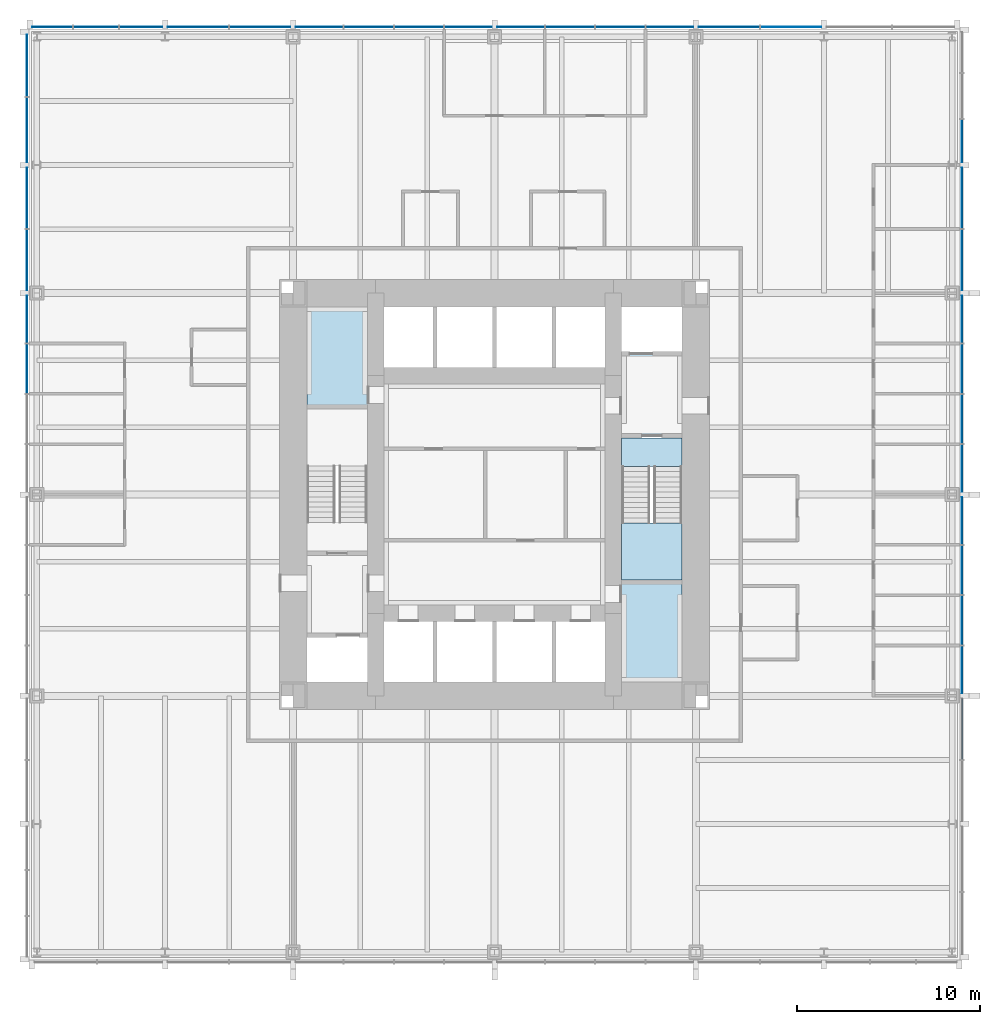
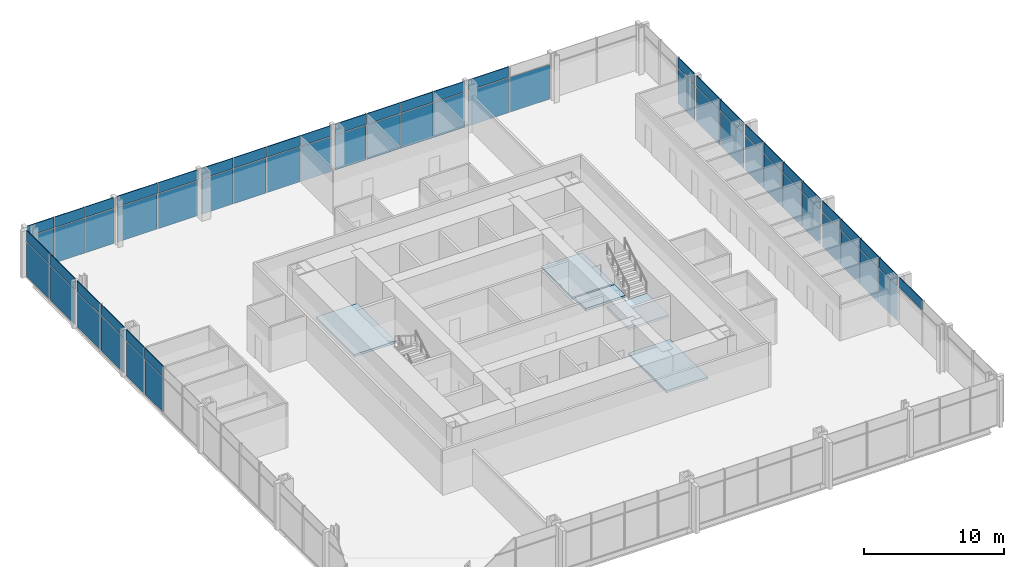
# One storey, part 8 of 12: 64 plates, 5 slabs, 4 elements without a shape of their own.
"""IFC4 building model written with IfcOpenShell, lengths in metres."""

from ifc_helpers import new_model, si_unit, direction, frame, origin, origin_2d, place, context, subcontext, project, spatial, polyline, rectangle, outline, extrude, material, layer, layer_set, type_object, element, aggregate, save


model = new_model("IFC4")

# Units and contexts
model_context = context("Model", 3, precision=1e-05, world=origin(), true_north=direction((0.0, 1.0)))
body_context = subcontext(model_context, "Body", "Model", "MODEL_VIEW")
ifc_project = project(units=[si_unit("LENGTHUNIT", "METRE"), si_unit("AREAUNIT", "SQUARE_METRE"), si_unit("VOLUMEUNIT", "CUBIC_METRE"), si_unit("PLANEANGLEUNIT", "RADIAN"), si_unit("MASSUNIT", "GRAM", prefix="KILO")], contexts=[model_context])

# Site, building, storey
site_placement = place(None, origin())
site = spatial("IfcSite", under=ifc_project, at=site_placement, CompositionType="ELEMENT")
building_placement = place(site_placement, origin())
building = spatial("IfcBuilding", under=site, at=building_placement, Name="Trevanion Tower", CompositionType="ELEMENT")
storey_placement = place(building_placement, frame((0.0, 0.0, 48.800048828125)))
storey = spatial("IfcBuildingStorey", under=building, at=storey_placement, Name="L11", CompositionType="ELEMENT", Elevation=48.800048828125)

# Curtain wall, plates
ifc_material_1 = material(Name="Aluminium and glass", Category="aluminium")
curtain_wall_type = type_object("IfcCurtainWallType", Name="CW1 curtain wall", PredefinedType="USERDEFINED", material=ifc_material_1)
curtain_wall_1_placement = place(storey_placement, origin())
curtain_wall_1 = element("IfcCurtainWall", 1, at=curtain_wall_1_placement, inside=storey, type_object=curtain_wall_type, Name="CW1 L11 0", ObjectType="UNITISED CURTAIN WALL", PredefinedType="USERDEFINED")
ifc_material_2 = material(Name="Aluminium spandrel panel", Category="aluminium")
ifc_layer_1 = layer(ifc_material_2, 0.06005859375)
ifc_layer_set_1 = layer_set([ifc_layer_1], Name="CW1 spandrel panel")
plate_type_1 = type_object("IfcPlateType", Name="CW1 spandrel panel", PredefinedType="CURTAIN_PANEL", material=ifc_layer_set_1)
plate_1_placement = place(storey_placement, frame((25.550048828125, -12.806396484375, 2.997314453125), z_axis=(0.0, 0.0, 1.0), x_axis=(0.0, 1.0, 0.0)))
plate_1 = element("IfcPlate", 2, at=plate_1_placement, type_object=plate_type_1, Name="CW1 panel 4.2", PredefinedType="CURTAIN_PANEL", context=body_context, shape_type="SweptSolid", body=[
    extrude(rectangle(XDim=3.3125, YDim=0.06005859375, at=origin_2d()), origin(), (0.0, 0.0, 1.0), 0.91259765625),
])
plate_2_placement = place(storey_placement, frame((25.550048828125, -9.56884765625, 2.997314453125), z_axis=(0.0, 0.0, 1.0), x_axis=(0.0, 1.0, 0.0)))
plate_2 = element("IfcPlate", 3, at=plate_2_placement, type_object=plate_type_1, Name="CW1 panel 5.2", PredefinedType="CURTAIN_PANEL", context=body_context, shape_type="SweptSolid", body=[
    extrude(rectangle(XDim=2.5625, YDim=0.06005859375, at=origin_2d()), origin(), (0.0, 0.0, 1.0), 0.91259765625),
])
plate_3_placement = place(storey_placement, frame((25.550048828125, -6.875, 2.997314453125), z_axis=(0.0, 0.0, 1.0), x_axis=(0.0, 1.0, 0.0)))
plate_3 = element("IfcPlate", 4, at=plate_3_placement, type_object=plate_type_1, Name="CW1 panel 6.2", PredefinedType="CURTAIN_PANEL", context=body_context, shape_type="SweptSolid", body=[
    extrude(rectangle(XDim=2.675048828125, YDim=0.06005859375, at=origin_2d()), origin(), (0.0, 0.0, 1.0), 0.91259765625),
])
plate_4_placement = place(storey_placement, frame((25.550048828125, -4.125, 2.997314453125), z_axis=(0.0, 0.0, 1.0), x_axis=(0.0, 1.0, 0.0)))
plate_4 = element("IfcPlate", 5, at=plate_4_placement, type_object=plate_type_1, Name="CW1 panel 7.2", PredefinedType="CURTAIN_PANEL", context=body_context, shape_type="SweptSolid", body=[
    extrude(rectangle(XDim=2.675048828125, YDim=0.06005859375, at=origin_2d()), origin(), (0.0, 0.0, 1.0), 0.91259765625),
])
plate_5_placement = place(storey_placement, frame((25.550048828125, -1.43115234375, 2.997314453125), z_axis=(0.0, 0.0, 1.0), x_axis=(0.0, 1.0, 0.0)))
plate_5 = element("IfcPlate", 6, at=plate_5_placement, type_object=plate_type_1, Name="CW1 panel 8.2", PredefinedType="CURTAIN_PANEL", context=body_context, shape_type="SweptSolid", body=[
    extrude(rectangle(XDim=2.5625, YDim=0.06005859375, at=origin_2d()), origin(), (0.0, 0.0, 1.0), 0.91259765625),
])
plate_6_placement = place(storey_placement, frame((25.550048828125, 1.43115234375, 2.997314453125), z_axis=(0.0, 0.0, 1.0), x_axis=(0.0, 1.0, 0.0)))
plate_6 = element("IfcPlate", 7, at=plate_6_placement, type_object=plate_type_1, Name="CW1 panel 9.2", PredefinedType="CURTAIN_PANEL", context=body_context, shape_type="SweptSolid", body=[
    extrude(rectangle(XDim=2.5625, YDim=0.06005859375, at=origin_2d()), origin(), (0.0, 0.0, 1.0), 0.91259765625),
])
plate_7_placement = place(storey_placement, frame((25.550048828125, 4.125, 2.997314453125), z_axis=(0.0, 0.0, 1.0), x_axis=(0.0, 1.0, 0.0)))
plate_7 = element("IfcPlate", 8, at=plate_7_placement, type_object=plate_type_1, Name="CW1 panel 10.2", PredefinedType="CURTAIN_PANEL", context=body_context, shape_type="SweptSolid", body=[
    extrude(rectangle(XDim=2.675048828125, YDim=0.06005859375, at=origin_2d()), origin(), (0.0, 0.0, 1.0), 0.91259765625),
])
plate_8_placement = place(storey_placement, frame((25.550048828125, 6.875, 2.997314453125), z_axis=(0.0, 0.0, 1.0), x_axis=(0.0, 1.0, 0.0)))
plate_8 = element("IfcPlate", 9, at=plate_8_placement, type_object=plate_type_1, Name="CW1 panel 11.2", PredefinedType="CURTAIN_PANEL", context=body_context, shape_type="SweptSolid", body=[
    extrude(rectangle(XDim=2.675048828125, YDim=0.06005859375, at=origin_2d()), origin(), (0.0, 0.0, 1.0), 0.91259765625),
])
plate_9_placement = place(storey_placement, frame((25.550048828125, 9.56884765625, 2.997314453125), z_axis=(0.0, 0.0, 1.0), x_axis=(0.0, 1.0, 0.0)))
plate_9 = element("IfcPlate", 10, at=plate_9_placement, type_object=plate_type_1, Name="CW1 panel 12.2", PredefinedType="CURTAIN_PANEL", context=body_context, shape_type="SweptSolid", body=[
    extrude(rectangle(XDim=2.5625, YDim=0.06005859375, at=origin_2d()), origin(), (0.0, 0.0, 1.0), 0.91259765625),
])
plate_10_placement = place(storey_placement, frame((25.550048828125, 12.80615234375, 2.997314453125), z_axis=(0.0, 0.0, 1.0), x_axis=(0.0, 1.0, 0.0)))
plate_10 = element("IfcPlate", 11, at=plate_10_placement, type_object=plate_type_1, Name="CW1 panel 13.2", PredefinedType="CURTAIN_PANEL", context=body_context, shape_type="SweptSolid", body=[
    extrude(rectangle(XDim=3.3125, YDim=0.06005859375, at=origin_2d()), origin(), (0.0, 0.0, 1.0), 0.91259765625),
])
plate_11_placement = place(storey_placement, frame((25.550048828125, 16.19384765625, 2.997314453125), z_axis=(0.0, 0.0, 1.0), x_axis=(0.0, 1.0, 0.0)))
plate_11 = element("IfcPlate", 12, at=plate_11_placement, type_object=plate_type_1, Name="CW1 panel 14.2", PredefinedType="CURTAIN_PANEL", context=body_context, shape_type="SweptSolid", body=[
    extrude(rectangle(XDim=3.3125, YDim=0.06005859375, at=origin_2d()), origin(), (0.0, 0.0, 1.0), 0.91259765625),
])
plate_12_placement = place(storey_placement, frame((25.550048828125, 19.314697265625, 2.997314453125), z_axis=(0.0, 0.0, 1.0), x_axis=(0.0, 1.0, 0.0)))
plate_12 = element("IfcPlate", 13, at=plate_12_placement, type_object=plate_type_1, Name="CW1 panel 15.2", PredefinedType="CURTAIN_PANEL", context=body_context, shape_type="SweptSolid", body=[
    extrude(rectangle(XDim=2.3291015625, YDim=0.06005859375, at=origin_2d()), origin(), (0.0, 0.0, 1.0), 0.91259765625),
])

curtain_wall_2_placement = place(storey_placement, origin())
curtain_wall_2 = element("IfcCurtainWall", 14, at=curtain_wall_2_placement, inside=storey, type_object=curtain_wall_type, Name="CW1 L11 1", ObjectType="UNITISED CURTAIN WALL", PredefinedType="USERDEFINED")
plate_13_placement = place(storey_placement, frame((12.806396484375, 25.550048828125, 2.997314453125), z_axis=(0.0, 0.0, 1.0), x_axis=(-1.0, 0.0, 0.0)))
plate_13 = element("IfcPlate", 15, at=plate_13_placement, type_object=plate_type_1, Name="CW1 panel 4.2", PredefinedType="CURTAIN_PANEL", context=body_context, shape_type="SweptSolid", body=[
    extrude(rectangle(XDim=3.3125, YDim=0.06005859375, at=origin_2d()), origin(), (0.0, 0.0, 1.0), 0.91259765625),
])
plate_14_placement = place(storey_placement, frame((9.56884765625, 25.550048828125, 2.997314453125), z_axis=(0.0, 0.0, 1.0), x_axis=(-1.0, 0.0, 0.0)))
plate_14 = element("IfcPlate", 16, at=plate_14_placement, type_object=plate_type_1, Name="CW1 panel 5.2", PredefinedType="CURTAIN_PANEL", context=body_context, shape_type="SweptSolid", body=[
    extrude(rectangle(XDim=2.5625, YDim=0.06005859375, at=origin_2d()), origin(), (0.0, 0.0, 1.0), 0.91259765625),
])
plate_15_placement = place(storey_placement, frame((6.875, 25.550048828125, 2.997314453125), z_axis=(0.0, 0.0, 1.0), x_axis=(-1.0, 0.0, 0.0)))
plate_15 = element("IfcPlate", 17, at=plate_15_placement, type_object=plate_type_1, Name="CW1 panel 6.2", PredefinedType="CURTAIN_PANEL", context=body_context, shape_type="SweptSolid", body=[
    extrude(rectangle(XDim=2.675048828125, YDim=0.06005859375, at=origin_2d()), origin(), (0.0, 0.0, 1.0), 0.91259765625),
])
plate_16_placement = place(storey_placement, frame((4.125, 25.550048828125, 2.997314453125), z_axis=(0.0, 0.0, 1.0), x_axis=(-1.0, 0.0, 0.0)))
plate_16 = element("IfcPlate", 18, at=plate_16_placement, type_object=plate_type_1, Name="CW1 panel 7.2", PredefinedType="CURTAIN_PANEL", context=body_context, shape_type="SweptSolid", body=[
    extrude(rectangle(XDim=2.675048828125, YDim=0.06005859375, at=origin_2d()), origin(), (0.0, 0.0, 1.0), 0.91259765625),
])
plate_17_placement = place(storey_placement, frame((1.43115234375, 25.550048828125, 2.997314453125), z_axis=(0.0, 0.0, 1.0), x_axis=(-1.0, 0.0, 0.0)))
plate_17 = element("IfcPlate", 19, at=plate_17_placement, type_object=plate_type_1, Name="CW1 panel 8.2", PredefinedType="CURTAIN_PANEL", context=body_context, shape_type="SweptSolid", body=[
    extrude(rectangle(XDim=2.5625, YDim=0.06005859375, at=origin_2d()), origin(), (0.0, 0.0, 1.0), 0.91259765625),
])
plate_18_placement = place(storey_placement, frame((-1.43115234375, 25.550048828125, 2.997314453125), z_axis=(0.0, 0.0, 1.0), x_axis=(-1.0, 0.0, 0.0)))
plate_18 = element("IfcPlate", 20, at=plate_18_placement, type_object=plate_type_1, Name="CW1 panel 9.2", PredefinedType="CURTAIN_PANEL", context=body_context, shape_type="SweptSolid", body=[
    extrude(rectangle(XDim=2.5625, YDim=0.06005859375, at=origin_2d()), origin(), (0.0, 0.0, 1.0), 0.91259765625),
])
plate_19_placement = place(storey_placement, frame((-4.125, 25.550048828125, 2.997314453125), z_axis=(0.0, 0.0, 1.0), x_axis=(-1.0, 0.0, 0.0)))
plate_19 = element("IfcPlate", 21, at=plate_19_placement, type_object=plate_type_1, Name="CW1 panel 10.2", PredefinedType="CURTAIN_PANEL", context=body_context, shape_type="SweptSolid", body=[
    extrude(rectangle(XDim=2.675048828125, YDim=0.06005859375, at=origin_2d()), origin(), (0.0, 0.0, 1.0), 0.91259765625),
])
plate_20_placement = place(storey_placement, frame((-6.875, 25.550048828125, 2.997314453125), z_axis=(0.0, 0.0, 1.0), x_axis=(-1.0, 0.0, 0.0)))
plate_20 = element("IfcPlate", 22, at=plate_20_placement, type_object=plate_type_1, Name="CW1 panel 11.2", PredefinedType="CURTAIN_PANEL", context=body_context, shape_type="SweptSolid", body=[
    extrude(rectangle(XDim=2.675048828125, YDim=0.06005859375, at=origin_2d()), origin(), (0.0, 0.0, 1.0), 0.91259765625),
])
plate_21_placement = place(storey_placement, frame((-9.56884765625, 25.550048828125, 2.997314453125), z_axis=(0.0, 0.0, 1.0), x_axis=(-1.0, 0.0, 0.0)))
plate_21 = element("IfcPlate", 23, at=plate_21_placement, type_object=plate_type_1, Name="CW1 panel 12.2", PredefinedType="CURTAIN_PANEL", context=body_context, shape_type="SweptSolid", body=[
    extrude(rectangle(XDim=2.5625, YDim=0.06005859375, at=origin_2d()), origin(), (0.0, 0.0, 1.0), 0.91259765625),
])
plate_22_placement = place(storey_placement, frame((-12.80615234375, 25.550048828125, 2.997314453125), z_axis=(0.0, 0.0, 1.0), x_axis=(-1.0, 0.0, 0.0)))
plate_22 = element("IfcPlate", 24, at=plate_22_placement, type_object=plate_type_1, Name="CW1 panel 13.2", PredefinedType="CURTAIN_PANEL", context=body_context, shape_type="SweptSolid", body=[
    extrude(rectangle(XDim=3.3125, YDim=0.06005859375, at=origin_2d()), origin(), (0.0, 0.0, 1.0), 0.91259765625),
])
plate_23_placement = place(storey_placement, frame((-16.19384765625, 25.550048828125, 2.997314453125), z_axis=(0.0, 0.0, 1.0), x_axis=(-1.0, 0.0, 0.0)))
plate_23 = element("IfcPlate", 25, at=plate_23_placement, type_object=plate_type_1, Name="CW1 panel 14.2", PredefinedType="CURTAIN_PANEL", context=body_context, shape_type="SweptSolid", body=[
    extrude(rectangle(XDim=3.3125, YDim=0.06005859375, at=origin_2d()), origin(), (0.0, 0.0, 1.0), 0.91259765625),
])
plate_24_placement = place(storey_placement, frame((-19.314697265625, 25.550048828125, 2.997314453125), z_axis=(0.0, 0.0, 1.0), x_axis=(-1.0, 0.0, 0.0)))
plate_24 = element("IfcPlate", 26, at=plate_24_placement, type_object=plate_type_1, Name="CW1 panel 15.2", PredefinedType="CURTAIN_PANEL", context=body_context, shape_type="SweptSolid", body=[
    extrude(rectangle(XDim=2.3291015625, YDim=0.06005859375, at=origin_2d()), origin(), (0.0, 0.0, 1.0), 0.91259765625),
])
plate_25_placement = place(storey_placement, frame((-21.77490234375, 25.550048828125, 2.997314453125), z_axis=(0.0, 0.0, 1.0), x_axis=(-1.0, 0.0, 0.0)))
plate_25 = element("IfcPlate", 27, at=plate_25_placement, type_object=plate_type_1, Name="CW1 panel 16.2", PredefinedType="CURTAIN_PANEL", context=body_context, shape_type="SweptSolid", body=[
    extrude(rectangle(XDim=2.441650390625, YDim=0.06005859375, at=origin_2d()), origin(), (0.0, 0.0, 1.0), 0.91259765625),
])
plate_26_placement = place(storey_placement, frame((-24.160400390625, 25.550048828125, 2.997314453125), z_axis=(0.0, 0.0, 1.0), x_axis=(-1.0, 0.0, 0.0)))
plate_26 = element("IfcPlate", 28, at=plate_26_placement, type_object=plate_type_1, Name="CW1 panel 17.2", PredefinedType="CURTAIN_PANEL", context=body_context, shape_type="SweptSolid", body=[
    extrude(rectangle(XDim=2.17919921875, YDim=0.06005859375, at=origin_2d()), origin(), (0.0, 0.0, 1.0), 0.91259765625),
])

curtain_wall_3_placement = place(storey_placement, origin())
curtain_wall_3 = element("IfcCurtainWall", 29, at=curtain_wall_3_placement, inside=storey, type_object=curtain_wall_type, Name="CW1 L11 2", ObjectType="UNITISED CURTAIN WALL", PredefinedType="USERDEFINED")
plate_27_placement = place(storey_placement, frame((-25.550048828125, 23.433837890625, 2.997314453125), z_axis=(0.0, 0.0, 1.0), x_axis=(0.0, -1.0, 0.0)))
plate_27 = element("IfcPlate", 30, at=plate_27_placement, type_object=plate_type_1, Name="CW1 panel 1.2", PredefinedType="CURTAIN_PANEL", context=body_context, shape_type="SweptSolid", body=[
    extrude(rectangle(XDim=3.37255859375, YDim=0.06005859375, at=origin_2d()), origin(), (0.0, 0.0, 1.0), 0.91259765625),
])
plate_28_placement = place(storey_placement, frame((-25.550048828125, 19.911376953125, 2.997314453125), z_axis=(0.0, 0.0, 1.0), x_axis=(0.0, -1.0, 0.0)))
plate_28 = element("IfcPlate", 31, at=plate_28_placement, type_object=plate_type_1, Name="CW1 panel 2.2", PredefinedType="CURTAIN_PANEL", context=body_context, shape_type="SweptSolid", body=[
    extrude(rectangle(XDim=3.5224609375, YDim=0.06005859375, at=origin_2d()), origin(), (0.0, 0.0, 1.0), 0.91259765625),
])
plate_29_placement = place(storey_placement, frame((-25.550048828125, 16.19384765625, 2.997314453125), z_axis=(0.0, 0.0, 1.0), x_axis=(0.0, -1.0, 0.0)))
plate_29 = element("IfcPlate", 32, at=plate_29_placement, type_object=plate_type_1, Name="CW1 panel 3.2", PredefinedType="CURTAIN_PANEL", context=body_context, shape_type="SweptSolid", body=[
    extrude(rectangle(XDim=3.3125, YDim=0.06005859375, at=origin_2d()), origin(), (0.0, 0.0, 1.0), 0.91259765625),
])
plate_30_placement = place(storey_placement, frame((-25.550048828125, 12.806396484375, 2.997314453125), z_axis=(0.0, 0.0, 1.0), x_axis=(0.0, -1.0, 0.0)))
plate_30 = element("IfcPlate", 33, at=plate_30_placement, type_object=plate_type_1, Name="CW1 panel 4.2", PredefinedType="CURTAIN_PANEL", context=body_context, shape_type="SweptSolid", body=[
    extrude(rectangle(XDim=3.3125, YDim=0.06005859375, at=origin_2d()), origin(), (0.0, 0.0, 1.0), 0.91259765625),
])
plate_31_placement = place(storey_placement, frame((-25.550048828125, 9.56884765625, 2.997314453125), z_axis=(0.0, 0.0, 1.0), x_axis=(0.0, -1.0, 0.0)))
plate_31 = element("IfcPlate", 34, at=plate_31_placement, type_object=plate_type_1, Name="CW1 panel 5.2", PredefinedType="CURTAIN_PANEL", context=body_context, shape_type="SweptSolid", body=[
    extrude(rectangle(XDim=2.5625, YDim=0.06005859375, at=origin_2d()), origin(), (0.0, 0.0, 1.0), 0.91259765625),
])
plate_32_placement = place(storey_placement, frame((-25.550048828125, 6.875, 2.997314453125), z_axis=(0.0, 0.0, 1.0), x_axis=(0.0, -1.0, 0.0)))
plate_32 = element("IfcPlate", 35, at=plate_32_placement, type_object=plate_type_1, Name="CW1 panel 6.2", PredefinedType="CURTAIN_PANEL", context=body_context, shape_type="SweptSolid", body=[
    extrude(rectangle(XDim=2.675048828125, YDim=0.06005859375, at=origin_2d()), origin(), (0.0, 0.0, 1.0), 0.91259765625),
])

# Plate
ifc_material_3 = material(Name="Insulating glass unit", Category="glass")
ifc_layer_2 = layer(ifc_material_3, 0.028076171875)
ifc_layer_set_2 = layer_set([ifc_layer_2], Name="CW1 vision panel")
plate_type_2 = type_object("IfcPlateType", Name="CW1 vision panel", PredefinedType="CURTAIN_PANEL", material=ifc_layer_set_2)
plate_33_placement = place(storey_placement, frame((25.550048828125, -9.56884765625, -0.115234375), z_axis=(0.0, 0.0, 1.0), x_axis=(0.0, 1.0, 0.0)))
plate_33 = element("IfcPlate", 36, at=plate_33_placement, type_object=plate_type_2, Name="CW1 panel 5.1", PredefinedType="CURTAIN_PANEL", context=body_context, shape_type="SweptSolid", body=[
    extrude(rectangle(XDim=2.5625, YDim=0.028076171875, at=origin_2d()), origin(), (0.0, 0.0, 1.0), 3.03759765625),
])

plate_34_placement = place(storey_placement, frame((25.550048828125, -6.875, -0.115234375), z_axis=(0.0, 0.0, 1.0), x_axis=(0.0, 1.0, 0.0)))
plate_34 = element("IfcPlate", 37, at=plate_34_placement, type_object=plate_type_2, Name="CW1 panel 6.1", PredefinedType="CURTAIN_PANEL", context=body_context, shape_type="SweptSolid", body=[
    extrude(rectangle(XDim=2.675048828125, YDim=0.028076171875, at=origin_2d()), origin(), (0.0, 0.0, 1.0), 3.03759765625),
])

plate_35_placement = place(storey_placement, frame((25.550048828125, -4.125, -0.115234375), z_axis=(0.0, 0.0, 1.0), x_axis=(0.0, 1.0, 0.0)))
plate_35 = element("IfcPlate", 38, at=plate_35_placement, type_object=plate_type_2, Name="CW1 panel 7.1", PredefinedType="CURTAIN_PANEL", context=body_context, shape_type="SweptSolid", body=[
    extrude(rectangle(XDim=2.675048828125, YDim=0.028076171875, at=origin_2d()), origin(), (0.0, 0.0, 1.0), 3.03759765625),
])

plate_36_placement = place(storey_placement, frame((25.550048828125, -1.43115234375, -0.115234375), z_axis=(0.0, 0.0, 1.0), x_axis=(0.0, 1.0, 0.0)))
plate_36 = element("IfcPlate", 39, at=plate_36_placement, type_object=plate_type_2, Name="CW1 panel 8.1", PredefinedType="CURTAIN_PANEL", context=body_context, shape_type="SweptSolid", body=[
    extrude(rectangle(XDim=2.5625, YDim=0.028076171875, at=origin_2d()), origin(), (0.0, 0.0, 1.0), 3.03759765625),
])

plate_37_placement = place(storey_placement, frame((25.550048828125, 1.43115234375, -0.115234375), z_axis=(0.0, 0.0, 1.0), x_axis=(0.0, 1.0, 0.0)))
plate_37 = element("IfcPlate", 40, at=plate_37_placement, type_object=plate_type_2, Name="CW1 panel 9.1", PredefinedType="CURTAIN_PANEL", context=body_context, shape_type="SweptSolid", body=[
    extrude(rectangle(XDim=2.5625, YDim=0.028076171875, at=origin_2d()), origin(), (0.0, 0.0, 1.0), 3.03759765625),
])

plate_38_placement = place(storey_placement, frame((25.550048828125, 4.125, -0.115234375), z_axis=(0.0, 0.0, 1.0), x_axis=(0.0, 1.0, 0.0)))
plate_38 = element("IfcPlate", 41, at=plate_38_placement, type_object=plate_type_2, Name="CW1 panel 10.1", PredefinedType="CURTAIN_PANEL", context=body_context, shape_type="SweptSolid", body=[
    extrude(rectangle(XDim=2.675048828125, YDim=0.028076171875, at=origin_2d()), origin(), (0.0, 0.0, 1.0), 3.03759765625),
])

plate_39_placement = place(storey_placement, frame((25.550048828125, 6.875, -0.115234375), z_axis=(0.0, 0.0, 1.0), x_axis=(0.0, 1.0, 0.0)))
plate_39 = element("IfcPlate", 42, at=plate_39_placement, type_object=plate_type_2, Name="CW1 panel 11.1", PredefinedType="CURTAIN_PANEL", context=body_context, shape_type="SweptSolid", body=[
    extrude(rectangle(XDim=2.675048828125, YDim=0.028076171875, at=origin_2d()), origin(), (0.0, 0.0, 1.0), 3.03759765625),
])

plate_40_placement = place(storey_placement, frame((25.550048828125, 9.56884765625, -0.115234375), z_axis=(0.0, 0.0, 1.0), x_axis=(0.0, 1.0, 0.0)))
plate_40 = element("IfcPlate", 43, at=plate_40_placement, type_object=plate_type_2, Name="CW1 panel 12.1", PredefinedType="CURTAIN_PANEL", context=body_context, shape_type="SweptSolid", body=[
    extrude(rectangle(XDim=2.5625, YDim=0.028076171875, at=origin_2d()), origin(), (0.0, 0.0, 1.0), 3.03759765625),
])

plate_41_placement = place(storey_placement, frame((25.550048828125, 12.80615234375, -0.115234375), z_axis=(0.0, 0.0, 1.0), x_axis=(0.0, 1.0, 0.0)))
plate_41 = element("IfcPlate", 44, at=plate_41_placement, type_object=plate_type_2, Name="CW1 panel 13.1", PredefinedType="CURTAIN_PANEL", context=body_context, shape_type="SweptSolid", body=[
    extrude(rectangle(XDim=3.3125, YDim=0.028076171875, at=origin_2d()), origin(), (0.0, 0.0, 1.0), 3.03759765625),
])

plate_42_placement = place(storey_placement, frame((25.550048828125, 16.19384765625, -0.115234375), z_axis=(0.0, 0.0, 1.0), x_axis=(0.0, 1.0, 0.0)))
plate_42 = element("IfcPlate", 45, at=plate_42_placement, type_object=plate_type_2, Name="CW1 panel 14.1", PredefinedType="CURTAIN_PANEL", context=body_context, shape_type="SweptSolid", body=[
    extrude(rectangle(XDim=3.3125, YDim=0.028076171875, at=origin_2d()), origin(), (0.0, 0.0, 1.0), 3.03759765625),
])

plate_43_placement = place(storey_placement, frame((25.550048828125, 19.314697265625, -0.115234375), z_axis=(0.0, 0.0, 1.0), x_axis=(0.0, 1.0, 0.0)))
plate_43 = element("IfcPlate", 46, at=plate_43_placement, type_object=plate_type_2, Name="CW1 panel 15.1", PredefinedType="CURTAIN_PANEL", context=body_context, shape_type="SweptSolid", body=[
    extrude(rectangle(XDim=2.3291015625, YDim=0.028076171875, at=origin_2d()), origin(), (0.0, 0.0, 1.0), 3.03759765625),
])

aggregate(curtain_wall_1, [plate_1, plate_33, plate_2, plate_34, plate_3, plate_35, plate_4, plate_36, plate_5, plate_37, plate_6, plate_38, plate_7, plate_39, plate_8, plate_40, plate_9, plate_41, plate_10, plate_42, plate_11, plate_43, plate_12])

plate_44_placement = place(storey_placement, frame((16.19384765625, 25.550048828125, -0.115234375), z_axis=(0.0, 0.0, 1.0), x_axis=(-1.0, 0.0, 0.0)))
plate_44 = element("IfcPlate", 47, at=plate_44_placement, type_object=plate_type_2, Name="CW1 panel 3.1", PredefinedType="CURTAIN_PANEL", context=body_context, shape_type="SweptSolid", body=[
    extrude(rectangle(XDim=3.3125, YDim=0.028076171875, at=origin_2d()), origin(), (0.0, 0.0, 1.0), 3.03759765625),
])

plate_45_placement = place(storey_placement, frame((12.806396484375, 25.550048828125, -0.115234375), z_axis=(0.0, 0.0, 1.0), x_axis=(-1.0, 0.0, 0.0)))
plate_45 = element("IfcPlate", 48, at=plate_45_placement, type_object=plate_type_2, Name="CW1 panel 4.1", PredefinedType="CURTAIN_PANEL", context=body_context, shape_type="SweptSolid", body=[
    extrude(rectangle(XDim=3.3125, YDim=0.028076171875, at=origin_2d()), origin(), (0.0, 0.0, 1.0), 3.03759765625),
])

plate_46_placement = place(storey_placement, frame((9.56884765625, 25.550048828125, -0.115234375), z_axis=(0.0, 0.0, 1.0), x_axis=(-1.0, 0.0, 0.0)))
plate_46 = element("IfcPlate", 49, at=plate_46_placement, type_object=plate_type_2, Name="CW1 panel 5.1", PredefinedType="CURTAIN_PANEL", context=body_context, shape_type="SweptSolid", body=[
    extrude(rectangle(XDim=2.5625, YDim=0.028076171875, at=origin_2d()), origin(), (0.0, 0.0, 1.0), 3.03759765625),
])

plate_47_placement = place(storey_placement, frame((6.875, 25.550048828125, -0.115234375), z_axis=(0.0, 0.0, 1.0), x_axis=(-1.0, 0.0, 0.0)))
plate_47 = element("IfcPlate", 50, at=plate_47_placement, type_object=plate_type_2, Name="CW1 panel 6.1", PredefinedType="CURTAIN_PANEL", context=body_context, shape_type="SweptSolid", body=[
    extrude(rectangle(XDim=2.675048828125, YDim=0.028076171875, at=origin_2d()), origin(), (0.0, 0.0, 1.0), 3.03759765625),
])

plate_48_placement = place(storey_placement, frame((4.125, 25.550048828125, -0.115234375), z_axis=(0.0, 0.0, 1.0), x_axis=(-1.0, 0.0, 0.0)))
plate_48 = element("IfcPlate", 51, at=plate_48_placement, type_object=plate_type_2, Name="CW1 panel 7.1", PredefinedType="CURTAIN_PANEL", context=body_context, shape_type="SweptSolid", body=[
    extrude(rectangle(XDim=2.675048828125, YDim=0.028076171875, at=origin_2d()), origin(), (0.0, 0.0, 1.0), 3.03759765625),
])

plate_49_placement = place(storey_placement, frame((1.43115234375, 25.550048828125, -0.115234375), z_axis=(0.0, 0.0, 1.0), x_axis=(-1.0, 0.0, 0.0)))
plate_49 = element("IfcPlate", 52, at=plate_49_placement, type_object=plate_type_2, Name="CW1 panel 8.1", PredefinedType="CURTAIN_PANEL", context=body_context, shape_type="SweptSolid", body=[
    extrude(rectangle(XDim=2.5625, YDim=0.028076171875, at=origin_2d()), origin(), (0.0, 0.0, 1.0), 3.03759765625),
])

plate_50_placement = place(storey_placement, frame((-1.43115234375, 25.550048828125, -0.115234375), z_axis=(0.0, 0.0, 1.0), x_axis=(-1.0, 0.0, 0.0)))
plate_50 = element("IfcPlate", 53, at=plate_50_placement, type_object=plate_type_2, Name="CW1 panel 9.1", PredefinedType="CURTAIN_PANEL", context=body_context, shape_type="SweptSolid", body=[
    extrude(rectangle(XDim=2.5625, YDim=0.028076171875, at=origin_2d()), origin(), (0.0, 0.0, 1.0), 3.03759765625),
])

plate_51_placement = place(storey_placement, frame((-4.125, 25.550048828125, -0.115234375), z_axis=(0.0, 0.0, 1.0), x_axis=(-1.0, 0.0, 0.0)))
plate_51 = element("IfcPlate", 54, at=plate_51_placement, type_object=plate_type_2, Name="CW1 panel 10.1", PredefinedType="CURTAIN_PANEL", context=body_context, shape_type="SweptSolid", body=[
    extrude(rectangle(XDim=2.675048828125, YDim=0.028076171875, at=origin_2d()), origin(), (0.0, 0.0, 1.0), 3.03759765625),
])

plate_52_placement = place(storey_placement, frame((-6.875, 25.550048828125, -0.115234375), z_axis=(0.0, 0.0, 1.0), x_axis=(-1.0, 0.0, 0.0)))
plate_52 = element("IfcPlate", 55, at=plate_52_placement, type_object=plate_type_2, Name="CW1 panel 11.1", PredefinedType="CURTAIN_PANEL", context=body_context, shape_type="SweptSolid", body=[
    extrude(rectangle(XDim=2.675048828125, YDim=0.028076171875, at=origin_2d()), origin(), (0.0, 0.0, 1.0), 3.03759765625),
])

plate_53_placement = place(storey_placement, frame((-9.56884765625, 25.550048828125, -0.115234375), z_axis=(0.0, 0.0, 1.0), x_axis=(-1.0, 0.0, 0.0)))
plate_53 = element("IfcPlate", 56, at=plate_53_placement, type_object=plate_type_2, Name="CW1 panel 12.1", PredefinedType="CURTAIN_PANEL", context=body_context, shape_type="SweptSolid", body=[
    extrude(rectangle(XDim=2.5625, YDim=0.028076171875, at=origin_2d()), origin(), (0.0, 0.0, 1.0), 3.03759765625),
])

plate_54_placement = place(storey_placement, frame((-12.80615234375, 25.550048828125, -0.115234375), z_axis=(0.0, 0.0, 1.0), x_axis=(-1.0, 0.0, 0.0)))
plate_54 = element("IfcPlate", 57, at=plate_54_placement, type_object=plate_type_2, Name="CW1 panel 13.1", PredefinedType="CURTAIN_PANEL", context=body_context, shape_type="SweptSolid", body=[
    extrude(rectangle(XDim=3.3125, YDim=0.028076171875, at=origin_2d()), origin(), (0.0, 0.0, 1.0), 3.03759765625),
])

plate_55_placement = place(storey_placement, frame((-16.19384765625, 25.550048828125, -0.115234375), z_axis=(0.0, 0.0, 1.0), x_axis=(-1.0, 0.0, 0.0)))
plate_55 = element("IfcPlate", 58, at=plate_55_placement, type_object=plate_type_2, Name="CW1 panel 14.1", PredefinedType="CURTAIN_PANEL", context=body_context, shape_type="SweptSolid", body=[
    extrude(rectangle(XDim=3.3125, YDim=0.028076171875, at=origin_2d()), origin(), (0.0, 0.0, 1.0), 3.03759765625),
])

plate_56_placement = place(storey_placement, frame((-19.314697265625, 25.550048828125, -0.115234375), z_axis=(0.0, 0.0, 1.0), x_axis=(-1.0, 0.0, 0.0)))
plate_56 = element("IfcPlate", 59, at=plate_56_placement, type_object=plate_type_2, Name="CW1 panel 15.1", PredefinedType="CURTAIN_PANEL", context=body_context, shape_type="SweptSolid", body=[
    extrude(rectangle(XDim=2.3291015625, YDim=0.028076171875, at=origin_2d()), origin(), (0.0, 0.0, 1.0), 3.03759765625),
])

plate_57_placement = place(storey_placement, frame((-21.77490234375, 25.550048828125, -0.115234375), z_axis=(0.0, 0.0, 1.0), x_axis=(-1.0, 0.0, 0.0)))
plate_57 = element("IfcPlate", 60, at=plate_57_placement, type_object=plate_type_2, Name="CW1 panel 16.1", PredefinedType="CURTAIN_PANEL", context=body_context, shape_type="SweptSolid", body=[
    extrude(rectangle(XDim=2.441650390625, YDim=0.028076171875, at=origin_2d()), origin(), (0.0, 0.0, 1.0), 3.03759765625),
])

plate_58_placement = place(storey_placement, frame((-24.160400390625, 25.550048828125, -0.115234375), z_axis=(0.0, 0.0, 1.0), x_axis=(-1.0, 0.0, 0.0)))
plate_58 = element("IfcPlate", 61, at=plate_58_placement, type_object=plate_type_2, Name="CW1 panel 17.1", PredefinedType="CURTAIN_PANEL", context=body_context, shape_type="SweptSolid", body=[
    extrude(rectangle(XDim=2.17919921875, YDim=0.028076171875, at=origin_2d()), origin(), (0.0, 0.0, 1.0), 3.03759765625),
])

aggregate(curtain_wall_2, [plate_44, plate_45, plate_13, plate_46, plate_14, plate_47, plate_15, plate_48, plate_16, plate_49, plate_17, plate_50, plate_18, plate_51, plate_19, plate_52, plate_20, plate_53, plate_21, plate_54, plate_22, plate_55, plate_23, plate_56, plate_24, plate_57, plate_25, plate_58, plate_26])

plate_59_placement = place(storey_placement, frame((-25.550048828125, 23.433837890625, -0.115234375), z_axis=(0.0, 0.0, 1.0), x_axis=(0.0, -1.0, 0.0)))
plate_59 = element("IfcPlate", 62, at=plate_59_placement, type_object=plate_type_2, Name="CW1 panel 1.1", PredefinedType="CURTAIN_PANEL", context=body_context, shape_type="SweptSolid", body=[
    extrude(rectangle(XDim=3.37255859375, YDim=0.028076171875, at=origin_2d()), origin(), (0.0, 0.0, 1.0), 3.03759765625),
])

plate_60_placement = place(storey_placement, frame((-25.550048828125, 19.911376953125, -0.115234375), z_axis=(0.0, 0.0, 1.0), x_axis=(0.0, -1.0, 0.0)))
plate_60 = element("IfcPlate", 63, at=plate_60_placement, type_object=plate_type_2, Name="CW1 panel 2.1", PredefinedType="CURTAIN_PANEL", context=body_context, shape_type="SweptSolid", body=[
    extrude(rectangle(XDim=3.5224609375, YDim=0.028076171875, at=origin_2d()), origin(), (0.0, 0.0, 1.0), 3.03759765625),
])

plate_61_placement = place(storey_placement, frame((-25.550048828125, 16.19384765625, -0.115234375), z_axis=(0.0, 0.0, 1.0), x_axis=(0.0, -1.0, 0.0)))
plate_61 = element("IfcPlate", 64, at=plate_61_placement, type_object=plate_type_2, Name="CW1 panel 3.1", PredefinedType="CURTAIN_PANEL", context=body_context, shape_type="SweptSolid", body=[
    extrude(rectangle(XDim=3.3125, YDim=0.028076171875, at=origin_2d()), origin(), (0.0, 0.0, 1.0), 3.03759765625),
])

plate_62_placement = place(storey_placement, frame((-25.550048828125, 12.806396484375, -0.115234375), z_axis=(0.0, 0.0, 1.0), x_axis=(0.0, -1.0, 0.0)))
plate_62 = element("IfcPlate", 65, at=plate_62_placement, type_object=plate_type_2, Name="CW1 panel 4.1", PredefinedType="CURTAIN_PANEL", context=body_context, shape_type="SweptSolid", body=[
    extrude(rectangle(XDim=3.3125, YDim=0.028076171875, at=origin_2d()), origin(), (0.0, 0.0, 1.0), 3.03759765625),
])

plate_63_placement = place(storey_placement, frame((-25.550048828125, 9.56884765625, -0.115234375), z_axis=(0.0, 0.0, 1.0), x_axis=(0.0, -1.0, 0.0)))
plate_63 = element("IfcPlate", 66, at=plate_63_placement, type_object=plate_type_2, Name="CW1 panel 5.1", PredefinedType="CURTAIN_PANEL", context=body_context, shape_type="SweptSolid", body=[
    extrude(rectangle(XDim=2.5625, YDim=0.028076171875, at=origin_2d()), origin(), (0.0, 0.0, 1.0), 3.03759765625),
])

plate_64_placement = place(storey_placement, frame((-25.550048828125, 6.875, -0.115234375), z_axis=(0.0, 0.0, 1.0), x_axis=(0.0, -1.0, 0.0)))
plate_64 = element("IfcPlate", 67, at=plate_64_placement, type_object=plate_type_2, Name="CW1 panel 6.1", PredefinedType="CURTAIN_PANEL", context=body_context, shape_type="SweptSolid", body=[
    extrude(rectangle(XDim=2.675048828125, YDim=0.028076171875, at=origin_2d()), origin(), (0.0, 0.0, 1.0), 3.03759765625),
])

aggregate(curtain_wall_3, [plate_59, plate_27, plate_60, plate_28, plate_61, plate_29, plate_62, plate_30, plate_63, plate_31, plate_64, plate_32])

# Slabs
ifc_material_4 = material(Name="Concrete 5,000 psi", Category="concrete")
ifc_layer_3 = layer(ifc_material_4, 0.199951171875)
ifc_layer_set_3 = layer_set([ifc_layer_3], Name="SL2 core floor 200")
slab_type_1 = type_object("IfcSlabType", Name="SL2 core floor 200", PredefinedType="FLOOR", material=ifc_layer_set_3)
slab_1_placement = place(storey_placement, frame((0.0, 0.0, -0.199951171875)))
element("IfcSlab", 68, at=slab_1_placement, inside=storey, type_object=slab_type_1, Name="SL2 L11 core floor 1", PredefinedType="FLOOR", context=body_context, shape_type="SweptSolid", body=[
    extrude(outline(polyline([(10.25, -4.804931640625), (10.25, -10.25), (6.830078125, -10.25), (6.830078125, -4.804931640625), (10.25, -4.804931640625)])), origin(), (0.0, 0.0, 1.0), 0.199951171875),
])
slab_2_placement = place(storey_placement, frame((0.0, 0.0, -0.199951171875)))
element("IfcSlab", 69, at=slab_2_placement, inside=storey, type_object=slab_type_1, Name="SL2 L11 core floor 4", PredefinedType="FLOOR", context=body_context, shape_type="SweptSolid", body=[
    extrude(outline(polyline([(6.830078125, 3.205078125), (6.830078125, 7.695068359375), (10.25, 7.695068359375), (10.25, 3.205078125), (6.830078125, 3.205078125)])), origin(), (0.0, 0.0, 1.0), 0.199951171875),
])
slab_3_placement = place(storey_placement, frame((0.0, 0.0, -0.199951171875)))
element("IfcSlab", 70, at=slab_3_placement, inside=storey, type_object=slab_type_1, Name="SL2 L11 core floor 5", PredefinedType="FLOOR", context=body_context, shape_type="SweptSolid", body=[
    extrude(outline(polyline([(-6.830078125, 4.804931640625), (-10.25, 4.804931640625), (-10.25, 10.25), (-6.830078125, 10.25), (-6.830078125, 4.804931640625)])), origin(), (0.0, 0.0, 1.0), 0.199951171875),
])

# Stair, slabs
ifc_material_5 = material(Name="Concrete 5,000 psi on steel stringers", Category="concrete")
stair_type = type_object("IfcStairType", Name="ST stair", PredefinedType="HALF_TURN_STAIR", material=ifc_material_5)
stair_placement = place(storey_placement, origin())
stair = element("IfcStair", 71, at=stair_placement, inside=storey, type_object=stair_type, Name="ST1 L11", PredefinedType="HALF_TURN_STAIR")
ifc_material_6 = material(Name="Concrete 5,000 psi in steel pan", Category="concrete")
ifc_layer_4 = layer(ifc_material_6, 0.199951171875)
ifc_layer_set_4 = layer_set([ifc_layer_4], Name="STL stair landing 200")
slab_type_2 = type_object("IfcSlabType", Name="STL stair landing 200", PredefinedType="LANDING", material=ifc_layer_set_4)
slab_4_placement = place(storey_placement, frame((0.0, 0.0, -0.199951171875)))
slab_4 = element("IfcSlab", 72, at=slab_4_placement, type_object=slab_type_2, Name="ST1 landing 1", PredefinedType="LANDING", context=body_context, shape_type="SweptSolid", body=[
    extrude(outline(polyline([(6.949951171875, 1.52490234375), (10.25, 1.52490234375), (10.25, 3.074951171875), (6.949951171875, 3.074951171875), (6.949951171875, 1.52490234375)])), origin(), (0.0, 0.0, 1.0), 0.199951171875),
])
slab_5_placement = place(storey_placement, frame((0.0, 0.0, 1.849853515625)))
slab_5 = element("IfcSlab", 73, at=slab_5_placement, type_object=slab_type_2, Name="ST1 landing 2", PredefinedType="LANDING", context=body_context, shape_type="SweptSolid", body=[
    extrude(outline(polyline([(6.949951171875, -4.675048828125), (10.25, -4.675048828125), (10.25, -1.554931640625), (6.949951171875, -1.554931640625), (6.949951171875, -4.675048828125)])), origin(), (0.0, 0.0, 1.0), 0.2001953125),
])
aggregate(stair, [slab_4, slab_5])

save(model, "model.ifc")
